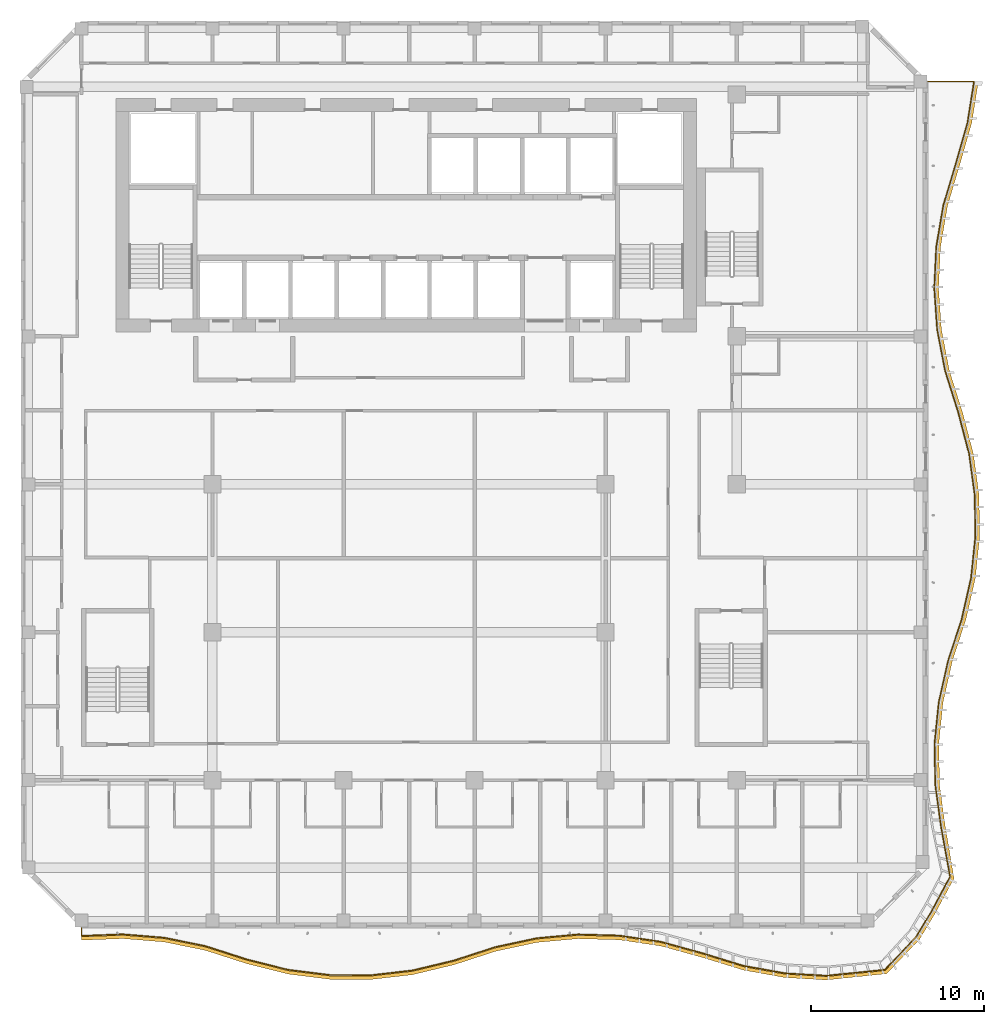
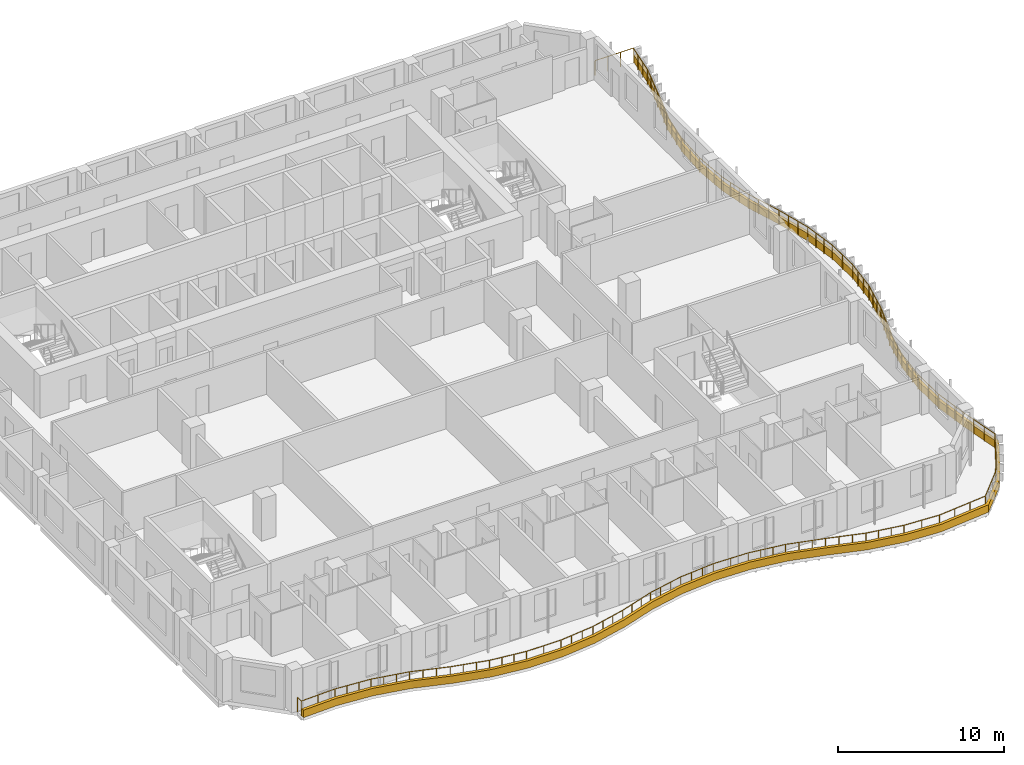
# One storey, part 17 of 22: 1 railing, 1 shading device.
"""IFC4 building model written with IfcOpenShell, lengths in metres."""

from ifc_helpers import new_model, si_unit, direction, frame, origin, origin_2d, place, context, subcontext, project, spatial, polyline, circle, outline, extrude, source, transform, mapped, material, layer, layer_set, type_object, element, save


model = new_model("IFC4")

# Units and contexts
model_context = context("Model", 3, precision=1e-05, world=origin(), true_north=direction((0.0, 1.0)))
body_context = subcontext(model_context, "Body", "Model", "MODEL_VIEW")
ifc_project = project(units=[si_unit("LENGTHUNIT", "METRE"), si_unit("AREAUNIT", "SQUARE_METRE"), si_unit("VOLUMEUNIT", "CUBIC_METRE"), si_unit("PLANEANGLEUNIT", "RADIAN"), si_unit("MASSUNIT", "GRAM", prefix="KILO")], contexts=[model_context])

# Site, building, storey
site_placement = place(None, origin())
site = spatial("IfcSite", under=ifc_project, at=site_placement, CompositionType="ELEMENT")
building_placement = place(site_placement, origin())
building = spatial("IfcBuilding", under=site, at=building_placement, Name="Kilnfold Tower and Market Hall", CompositionType="ELEMENT")
storey_placement = place(building_placement, frame((0.0, 0.0, 206.699951171875)))
storey = spatial("IfcBuildingStorey", under=building, at=storey_placement, Name="L50", CompositionType="ELEMENT", Elevation=206.699951171875)

# Railing
ifc_material_1 = material(Name="Stainless steel and laminated glass", Category="steel")
railing_type = type_object("IfcRailingType", Name="GUARD 1100", PredefinedType="GUARDRAIL", material=ifc_material_1)
railing_placement = place(storey_placement, frame((-17.75, -26.25, 0.0)))
element("IfcRailing", 1, at=railing_placement, inside=storey, type_object=railing_type, Name="Guard balcony L50", PredefinedType="GUARDRAIL", context=body_context, shape_type="SweptSolid", body=[
    extrude(circle(Radius=0.02490234375, at=origin_2d()), frame((0.0, 0.0, 1.0751953125), z_axis=(0.0, -1.0, 0.0), x_axis=(1.0, 0.0, 0.0)), (0.0, 0.0, 1.0), 0.4453125),
    extrude(circle(Radius=0.02490234375, at=origin_2d()), frame((0.0, -0.4453125, 1.0751953125), z_axis=(0.999285499224, 0.037795383853, 0.0), x_axis=(-0.037795383853, 0.999285499224, 0.0)), (0.0, 0.0, 1.0), 2.396484375),
    extrude(circle(Radius=0.02490234375, at=origin_2d()), frame((2.394775390625, -0.354736328125, 1.0751953125), z_axis=(0.996698894038, -0.081186911646, 0.0), x_axis=(0.081186911646, 0.996698894038, 0.0)), (0.0, 0.0, 1.0), 2.402587890625),
    extrude(circle(Radius=0.02490234375, at=origin_2d()), frame((4.78955078125, -0.5498046875, 1.0751953125), z_axis=(0.979777288655, -0.200091140821, 0.0), x_axis=(0.200091140821, 0.979777288655, 0.0)), (0.0, 0.0, 1.0), 2.44384765625),
    extrude(circle(Radius=0.02490234375, at=origin_2d()), frame((7.18408203125, -1.038818359375, 1.0751953125), z_axis=(0.951884070417, -0.306458343804, 0.0), x_axis=(0.306458343804, 0.951884070417, 0.0)), (0.0, 0.0, 1.0), 2.515869140625),
    extrude(circle(Radius=0.02490234375, at=origin_2d()), frame((9.578857421875, -1.809814453125, 1.0751953125), z_axis=(0.970078474346, -0.24279158472, 0.0), x_axis=(0.24279158472, 0.970078474346, 0.0)), (0.0, 0.0, 1.0), 2.46875),
    extrude(circle(Radius=0.02490234375, at=origin_2d()), frame((11.9736328125, -2.4091796875, 1.0751953125), z_axis=(0.992291877345, -0.123922678127, 0.0), x_axis=(0.123922678127, 0.992291877345, 0.0)), (0.0, 0.0, 1.0), 2.413330078125),
    extrude(circle(Radius=0.02490234375, at=origin_2d()), frame((14.368408203125, -2.708251953125, 1.0751953125), z_axis=(0.999987523161, -0.004995350049, 0.0), x_axis=(0.004995350049, 0.999987523161, 0.0)), (0.0, 0.0, 1.0), 2.394775390625),
    extrude(circle(Radius=0.02490234375, at=origin_2d()), frame((16.76318359375, -2.72021484375, 1.0751953125), z_axis=(0.993475745503, 0.114043601737, 0.0), x_axis=(-0.114043601737, 0.993475745503, 0.0)), (0.0, 0.0, 1.0), 2.410400390625),
    extrude(circle(Radius=0.02490234375, at=origin_2d()), frame((19.157958984375, -2.4453125, 1.0751953125), z_axis=(0.972475433643, 0.233005431185, 0.0), x_axis=(-0.233005431185, 0.972475433643, 0.0)), (0.0, 0.0, 1.0), 2.46240234375),
    extrude(circle(Radius=0.02490234375, at=origin_2d()), frame((21.552490234375, -1.87158203125, 1.0751953125), z_axis=(0.951041192838, 0.309064151149, 0.0), x_axis=(-0.309064151149, 0.951041192838, 0.0)), (0.0, 0.0, 1.0), 2.518310546875),
    extrude(circle(Radius=0.02490234375, at=origin_2d()), frame((23.947509765625, -1.09326171875, 1.0751953125), z_axis=(0.977694334529, 0.210032826555, 0.0), x_axis=(-0.210032826555, 0.977694334529, 0.0)), (0.0, 0.0, 1.0), 2.44921875),
    extrude(circle(Radius=0.02490234375, at=origin_2d()), frame((26.342041015625, -0.578857421875, 1.0751953125), z_axis=(0.995854001632, 0.090965968545, 0.0), x_axis=(-0.090965968545, 0.995854001632, 0.0)), (0.0, 0.0, 1.0), 2.40478515625),
    extrude(circle(Radius=0.02490234375, at=origin_2d()), frame((28.73681640625, -0.360107421875, 1.0751953125), z_axis=(0.999610087106, -0.027922638788, 0.0), x_axis=(0.027922638788, 0.999610087106, 0.0)), (0.0, 0.0, 1.0), 2.395751953125),
    extrude(circle(Radius=0.02490234375, at=origin_2d()), frame((31.131591796875, -0.427001953125, 1.0751953125), z_axis=(0.989162274279, -0.146826411597, 0.0), x_axis=(0.146826411597, 0.989162274279, 0.0)), (0.0, 0.0, 1.0), 2.4208984375),
    extrude(circle(Radius=0.02490234375, at=origin_2d()), frame((33.5263671875, -0.782470703125, 1.0751953125), z_axis=(0.964041254031, -0.265752630329, 0.0), x_axis=(0.265752630329, 0.964041254031, 0.0)), (0.0, 0.0, 1.0), 2.484130859375),
    extrude(circle(Radius=0.02490234375, at=origin_2d()), frame((35.921142578125, -1.442626953125, 1.0751953125), z_axis=(0.95578322222, -0.294072154619, 0.0), x_axis=(0.294072154619, 0.95578322222, 0.0)), (0.0, 0.0, 1.0), 2.505615234375),
    extrude(circle(Radius=0.02490234375, at=origin_2d()), frame((38.31591796875, -2.179443359375, 1.0751953125), z_axis=(0.984191021013, -0.177110231657, 0.0), x_axis=(0.177110231657, 0.984191021013, 0.0)), (0.0, 0.0, 1.0), 2.43310546875),
    extrude(circle(Radius=0.02490234375, at=origin_2d()), frame((40.71044921875, -2.6103515625, 1.0751953125), z_axis=(0.998304074766, -0.058214897621, 0.0), x_axis=(0.058214897621, 0.998304074766, 0.0)), (0.0, 0.0, 1.0), 2.39892578125),
    extrude(circle(Radius=0.02490234375, at=origin_2d()), frame((43.105224609375, -2.75, 1.0751953125), z_axis=(0.994895073816, 0.100914776402, 0.0), x_axis=(-0.100914776402, 0.994895073816, 0.0)), (0.0, 0.0, 1.0), 3.40869140625),
    extrude(circle(Radius=0.02490234375, at=origin_2d()), frame((46.49658203125, -2.406005859375, 1.0751953125), z_axis=(0.687903209609, 0.725802434696, 0.0), x_axis=(-0.725802434696, 0.687903209609, 0.0)), (0.0, 0.0, 1.0), 2.647705078125),
    extrude(circle(Radius=0.02490234375, at=origin_2d()), frame((48.31787109375, -0.484375, 1.0751953125), z_axis=(0.514179076421, 0.857682853606, 0.0), x_axis=(-0.857682853606, 0.514179076421, 0.0)), (0.0, 0.0, 1.0), 1.70068359375),
    extrude(circle(Radius=0.02490234375, at=origin_2d()), frame((49.1923828125, 0.974365234375, 1.0751953125), z_axis=(0.473080286495, 0.88101932018, 0.0), x_axis=(-0.88101932018, 0.473080286495, 0.0)), (0.0, 0.0, 1.0), 2.271240234375),
    extrude(circle(Radius=0.02490234375, at=origin_2d()), frame((50.266845703125, 2.975341796875, 1.0751953125), z_axis=(-0.177914965773, 0.98404586527, 0.0), x_axis=(-0.98404586527, -0.177914965773, 0.0)), (0.0, 0.0, 1.0), 2.966796875),
    extrude(circle(Radius=0.02490234375, at=origin_2d()), frame((49.739013671875, 5.894775390625, 1.0751953125), z_axis=(-0.136343479857, 0.990661625128, 0.0), x_axis=(-0.990661625128, -0.136343479857, 0.0)), (0.0, 0.0, 1.0), 2.417236328125),
    extrude(circle(Radius=0.02490234375, at=origin_2d()), frame((49.409423828125, 8.28955078125, 1.0751953125), z_axis=(-0.017330186539, 0.99984982104, 0.0), x_axis=(-0.99984982104, -0.017330186539, 0.0)), (0.0, 0.0, 1.0), 2.394775390625),
    extrude(circle(Radius=0.02490234375, at=origin_2d()), frame((49.367919921875, 10.68408203125, 1.0751953125), z_axis=(0.101521881914, 0.994833306385, 0.0), x_axis=(-0.994833306385, 0.101521881914, 0.0)), (0.0, 0.0, 1.0), 2.4072265625),
    extrude(circle(Radius=0.02490234375, at=origin_2d()), frame((49.6123046875, 13.078857421875, 1.0751953125), z_axis=(0.220456200603, 0.975396874926, 0.0), x_axis=(-0.975396874926, 0.220456200603, 0.0)), (0.0, 0.0, 1.0), 2.455078125),
    extrude(circle(Radius=0.02490234375, at=origin_2d()), frame((50.153564453125, 15.4736328125, 1.0751953125), z_axis=(0.310231980147, 0.950660885118, 0.0), x_axis=(-0.950660885118, 0.310231980147, 0.0)), (0.0, 0.0, 1.0), 2.51904296875),
    extrude(circle(Radius=0.02490234375, at=origin_2d()), frame((50.93505859375, 17.868408203125, 1.0751953125), z_axis=(0.222441554451, 0.974946026636, 0.0), x_axis=(-0.974946026636, 0.222441554451, 0.0)), (0.0, 0.0, 1.0), 2.456298828125),
    extrude(circle(Radius=0.02490234375, at=origin_2d()), frame((51.4814453125, 20.26318359375, 1.0751953125), z_axis=(0.103428446803, 0.994636896758, 0.0), x_axis=(-0.994636896758, 0.103428446803, 0.0)), (0.0, 0.0, 1.0), 2.40771484375),
    extrude(circle(Radius=0.02490234375, at=origin_2d()), frame((51.73046875, 22.657958984375, 1.0751953125), z_axis=(-0.015393771191, 0.999881508884, 0.0), x_axis=(-0.999881508884, -0.015393771191, 0.0)), (0.0, 0.0, 1.0), 2.394775390625),
    extrude(circle(Radius=0.02490234375, at=origin_2d()), frame((51.693603515625, 25.052490234375, 1.0751953125), z_axis=(-0.134446048726, 0.9909209151, 0.0), x_axis=(-0.9909209151, -0.134446048726, 0.0)), (0.0, 0.0, 1.0), 2.4169921875),
    extrude(circle(Radius=0.02490234375, at=origin_2d()), frame((51.36865234375, 27.447509765625, 1.0751953125), z_axis=(-0.253381367765, 0.967366467513, 0.0), x_axis=(-0.967366467513, -0.253381367765, 0.0)), (0.0, 0.0, 1.0), 2.475341796875),
    extrude(circle(Radius=0.02490234375, at=origin_2d()), frame((50.741455078125, 29.842041015625, 1.0751953125), z_axis=(-0.301875510226, 0.953347353448, 0.0), x_axis=(-0.953347353448, -0.301875510226, 0.0)), (0.0, 0.0, 1.0), 2.511962890625),
    extrude(circle(Radius=0.02490234375, at=origin_2d()), frame((49.983154296875, 32.23681640625, 1.0751953125), z_axis=(-0.189586154087, 0.981864089464, 0.0), x_axis=(-0.981864089464, -0.189586154087, 0.0)), (0.0, 0.0, 1.0), 2.43896484375),
    extrude(circle(Radius=0.02490234375, at=origin_2d()), frame((49.520751953125, 34.631591796875, 1.0751953125), z_axis=(-0.070574930945, 0.997506480742, 0.0), x_axis=(-0.997506480742, -0.070574930945, 0.0)), (0.0, 0.0, 1.0), 2.40087890625),
    extrude(circle(Radius=0.02490234375, at=origin_2d()), frame((49.351318359375, 37.0263671875, 1.0751953125), z_axis=(0.048266647613, 0.998834486153, 0.0), x_axis=(-0.998834486153, 0.048266647613, 0.0)), (0.0, 0.0, 1.0), 2.3974609375),
    extrude(circle(Radius=0.02490234375, at=origin_2d()), frame((49.467041015625, 39.421142578125, 1.0751953125), z_axis=(0.167250644967, 0.985914408941, 0.0), x_axis=(-0.985914408941, 0.167250644967, 0.0)), (0.0, 0.0, 1.0), 2.428955078125),
    extrude(circle(Radius=0.02490234375, at=origin_2d()), frame((49.873291015625, 41.81591796875, 1.0751953125), z_axis=(0.285967241733, 0.958239394231, 0.0), x_axis=(-0.958239394231, 0.285967241733, 0.0)), (0.0, 0.0, 1.0), 2.498779296875),
    extrude(circle(Radius=0.02490234375, at=origin_2d()), frame((50.587890625, 44.21044921875, 1.0751953125), z_axis=(0.275665835202, 0.961253529149, 0.0), x_axis=(-0.961253529149, 0.275665835202, 0.0)), (0.0, 0.0, 1.0), 2.4912109375),
    extrude(circle(Radius=0.02490234375, at=origin_2d()), frame((51.274658203125, 46.605224609375, 1.0751953125), z_axis=(0.156769103124, 0.987635281015, 0.0), x_axis=(-0.987635281015, 0.156769103124, 0.0)), (0.0, 0.0, 1.0), 2.4248046875),
    extrude(circle(Radius=0.02490234375, at=origin_2d()), frame((51.65478515625, 49.0, 1.0751953125), z_axis=(-1.0, 0.0, 0.0), x_axis=(0.0, -1.0, 0.0)), (0.0, 0.0, 1.0), 2.65478515625),
    extrude(circle(Radius=0.02490234375, at=origin_2d()), origin(), (0.0, 0.0, 1.0), 1.050048828125),
    extrude(circle(Radius=0.02490234375, at=origin_2d()), frame((0.0, -0.4453125, 0.0)), (0.0, 0.0, 1.0), 1.050048828125),
    extrude(circle(Radius=0.02490234375, at=origin_2d()), frame((1.197265625, -0.39990234375, 0.0)), (0.0, 0.0, 1.0), 1.050048828125),
    extrude(circle(Radius=0.02490234375, at=origin_2d()), frame((2.394775390625, -0.354736328125, 0.0)), (0.0, 0.0, 1.0), 1.050048828125),
    extrude(circle(Radius=0.02490234375, at=origin_2d()), frame((3.193115234375, -0.419677734375, 0.0)), (0.0, 0.0, 1.0), 1.050048828125),
    extrude(circle(Radius=0.02490234375, at=origin_2d()), frame((3.9912109375, -0.48486328125, 0.0)), (0.0, 0.0, 1.0), 1.050048828125),
    extrude(circle(Radius=0.02490234375, at=origin_2d()), frame((4.78955078125, -0.5498046875, 0.0)), (0.0, 0.0, 1.0), 1.050048828125),
    extrude(circle(Radius=0.02490234375, at=origin_2d()), frame((5.587646484375, -0.712890625, 0.0)), (0.0, 0.0, 1.0), 1.050048828125),
    extrude(circle(Radius=0.02490234375, at=origin_2d()), frame((6.385986328125, -0.875732421875, 0.0)), (0.0, 0.0, 1.0), 1.050048828125),
    extrude(circle(Radius=0.02490234375, at=origin_2d()), frame((7.18408203125, -1.038818359375, 0.0)), (0.0, 0.0, 1.0), 1.050048828125),
    extrude(circle(Radius=0.02490234375, at=origin_2d()), frame((7.982421875, -1.2958984375, 0.0)), (0.0, 0.0, 1.0), 1.050048828125),
    extrude(circle(Radius=0.02490234375, at=origin_2d()), frame((8.780517578125, -1.552734375, 0.0)), (0.0, 0.0, 1.0), 1.050048828125),
    extrude(circle(Radius=0.02490234375, at=origin_2d()), frame((9.578857421875, -1.809814453125, 0.0)), (0.0, 0.0, 1.0), 1.050048828125),
    extrude(circle(Radius=0.02490234375, at=origin_2d()), frame((10.377197265625, -2.009521484375, 0.0)), (0.0, 0.0, 1.0), 1.050048828125),
    extrude(circle(Radius=0.02490234375, at=origin_2d()), frame((11.17529296875, -2.20947265625, 0.0)), (0.0, 0.0, 1.0), 1.050048828125),
    extrude(circle(Radius=0.02490234375, at=origin_2d()), frame((11.9736328125, -2.4091796875, 0.0)), (0.0, 0.0, 1.0), 1.050048828125),
    extrude(circle(Radius=0.02490234375, at=origin_2d()), frame((12.77197265625, -2.5087890625, 0.0)), (0.0, 0.0, 1.0), 1.050048828125),
    extrude(circle(Radius=0.02490234375, at=origin_2d()), frame((13.570068359375, -2.608642578125, 0.0)), (0.0, 0.0, 1.0), 1.050048828125),
    extrude(circle(Radius=0.02490234375, at=origin_2d()), frame((14.368408203125, -2.708251953125, 0.0)), (0.0, 0.0, 1.0), 1.050048828125),
    extrude(circle(Radius=0.02490234375, at=origin_2d()), frame((15.56591796875, -2.71435546875, 0.0)), (0.0, 0.0, 1.0), 1.050048828125),
    extrude(circle(Radius=0.02490234375, at=origin_2d()), frame((16.76318359375, -2.72021484375, 0.0)), (0.0, 0.0, 1.0), 1.050048828125),
    extrude(circle(Radius=0.02490234375, at=origin_2d()), frame((17.5615234375, -2.628662109375, 0.0)), (0.0, 0.0, 1.0), 1.050048828125),
    extrude(circle(Radius=0.02490234375, at=origin_2d()), frame((18.359619140625, -2.536865234375, 0.0)), (0.0, 0.0, 1.0), 1.050048828125),
    extrude(circle(Radius=0.02490234375, at=origin_2d()), frame((19.157958984375, -2.4453125, 0.0)), (0.0, 0.0, 1.0), 1.050048828125),
    extrude(circle(Radius=0.02490234375, at=origin_2d()), frame((19.9560546875, -2.254150390625, 0.0)), (0.0, 0.0, 1.0), 1.050048828125),
    extrude(circle(Radius=0.02490234375, at=origin_2d()), frame((20.75439453125, -2.062744140625, 0.0)), (0.0, 0.0, 1.0), 1.050048828125),
    extrude(circle(Radius=0.02490234375, at=origin_2d()), frame((21.552490234375, -1.87158203125, 0.0)), (0.0, 0.0, 1.0), 1.050048828125),
    extrude(circle(Radius=0.02490234375, at=origin_2d()), frame((22.350830078125, -1.612060546875, 0.0)), (0.0, 0.0, 1.0), 1.050048828125),
    extrude(circle(Radius=0.02490234375, at=origin_2d()), frame((23.149169921875, -1.352783203125, 0.0)), (0.0, 0.0, 1.0), 1.050048828125),
    extrude(circle(Radius=0.02490234375, at=origin_2d()), frame((23.947509765625, -1.09326171875, 0.0)), (0.0, 0.0, 1.0), 1.050048828125),
    extrude(circle(Radius=0.02490234375, at=origin_2d()), frame((24.74560546875, -0.921875, 0.0)), (0.0, 0.0, 1.0), 1.050048828125),
    extrude(circle(Radius=0.02490234375, at=origin_2d()), frame((25.5439453125, -0.750244140625, 0.0)), (0.0, 0.0, 1.0), 1.050048828125),
    extrude(circle(Radius=0.02490234375, at=origin_2d()), frame((26.342041015625, -0.578857421875, 0.0)), (0.0, 0.0, 1.0), 1.050048828125),
    extrude(circle(Radius=0.02490234375, at=origin_2d()), frame((27.140380859375, -0.505859375, 0.0)), (0.0, 0.0, 1.0), 1.050048828125),
    extrude(circle(Radius=0.02490234375, at=origin_2d()), frame((27.9384765625, -0.43310546875, 0.0)), (0.0, 0.0, 1.0), 1.050048828125),
    extrude(circle(Radius=0.02490234375, at=origin_2d()), frame((28.73681640625, -0.360107421875, 0.0)), (0.0, 0.0, 1.0), 1.050048828125),
    extrude(circle(Radius=0.02490234375, at=origin_2d()), frame((29.93408203125, -0.3935546875, 0.0)), (0.0, 0.0, 1.0), 1.050048828125),
    extrude(circle(Radius=0.02490234375, at=origin_2d()), frame((31.131591796875, -0.427001953125, 0.0)), (0.0, 0.0, 1.0), 1.050048828125),
    extrude(circle(Radius=0.02490234375, at=origin_2d()), frame((31.929931640625, -0.54541015625, 0.0)), (0.0, 0.0, 1.0), 1.050048828125),
    extrude(circle(Radius=0.02490234375, at=origin_2d()), frame((32.72802734375, -0.6640625, 0.0)), (0.0, 0.0, 1.0), 1.050048828125),
    extrude(circle(Radius=0.02490234375, at=origin_2d()), frame((33.5263671875, -0.782470703125, 0.0)), (0.0, 0.0, 1.0), 1.050048828125),
    extrude(circle(Radius=0.02490234375, at=origin_2d()), frame((34.32470703125, -1.00244140625, 0.0)), (0.0, 0.0, 1.0), 1.050048828125),
    extrude(circle(Radius=0.02490234375, at=origin_2d()), frame((35.122802734375, -1.22265625, 0.0)), (0.0, 0.0, 1.0), 1.050048828125),
    extrude(circle(Radius=0.02490234375, at=origin_2d()), frame((35.921142578125, -1.442626953125, 0.0)), (0.0, 0.0, 1.0), 1.050048828125),
    extrude(circle(Radius=0.02490234375, at=origin_2d()), frame((36.719482421875, -1.688232421875, 0.0)), (0.0, 0.0, 1.0), 1.050048828125),
    extrude(circle(Radius=0.02490234375, at=origin_2d()), frame((37.517578125, -1.933837890625, 0.0)), (0.0, 0.0, 1.0), 1.050048828125),
    extrude(circle(Radius=0.02490234375, at=origin_2d()), frame((38.31591796875, -2.179443359375, 0.0)), (0.0, 0.0, 1.0), 1.050048828125),
    extrude(circle(Radius=0.02490234375, at=origin_2d()), frame((39.114013671875, -2.322998046875, 0.0)), (0.0, 0.0, 1.0), 1.050048828125),
    extrude(circle(Radius=0.02490234375, at=origin_2d()), frame((39.912353515625, -2.466796875, 0.0)), (0.0, 0.0, 1.0), 1.050048828125),
    extrude(circle(Radius=0.02490234375, at=origin_2d()), frame((40.71044921875, -2.6103515625, 0.0)), (0.0, 0.0, 1.0), 1.050048828125),
    extrude(circle(Radius=0.02490234375, at=origin_2d()), frame((41.90771484375, -2.68017578125, 0.0)), (0.0, 0.0, 1.0), 1.050048828125),
    extrude(circle(Radius=0.02490234375, at=origin_2d()), frame((43.105224609375, -2.75, 0.0)), (0.0, 0.0, 1.0), 1.050048828125),
    extrude(circle(Radius=0.02490234375, at=origin_2d()), frame((44.235595703125, -2.63525390625, 0.0)), (0.0, 0.0, 1.0), 1.050048828125),
    extrude(circle(Radius=0.02490234375, at=origin_2d()), frame((45.3662109375, -2.520751953125, 0.0)), (0.0, 0.0, 1.0), 1.050048828125),
    extrude(circle(Radius=0.02490234375, at=origin_2d()), frame((46.49658203125, -2.406005859375, 0.0)), (0.0, 0.0, 1.0), 1.050048828125),
    extrude(circle(Radius=0.02490234375, at=origin_2d()), frame((47.103759765625, -1.765380859375, 0.0)), (0.0, 0.0, 1.0), 1.050048828125),
    extrude(circle(Radius=0.02490234375, at=origin_2d()), frame((47.710693359375, -1.125, 0.0)), (0.0, 0.0, 1.0), 1.050048828125),
    extrude(circle(Radius=0.02490234375, at=origin_2d()), frame((48.31787109375, -0.484375, 0.0)), (0.0, 0.0, 1.0), 1.050048828125),
    extrude(circle(Radius=0.02490234375, at=origin_2d()), frame((48.755126953125, 0.2451171875, 0.0)), (0.0, 0.0, 1.0), 1.050048828125),
    extrude(circle(Radius=0.02490234375, at=origin_2d()), frame((49.1923828125, 0.974365234375, 0.0)), (0.0, 0.0, 1.0), 1.050048828125),
    extrude(circle(Radius=0.02490234375, at=origin_2d()), frame((49.7294921875, 1.974853515625, 0.0)), (0.0, 0.0, 1.0), 1.050048828125),
    extrude(circle(Radius=0.02490234375, at=origin_2d()), frame((50.266845703125, 2.975341796875, 0.0)), (0.0, 0.0, 1.0), 1.050048828125),
    extrude(circle(Radius=0.02490234375, at=origin_2d()), frame((50.0908203125, 3.948486328125, 0.0)), (0.0, 0.0, 1.0), 1.050048828125),
    extrude(circle(Radius=0.02490234375, at=origin_2d()), frame((49.9150390625, 4.921630859375, 0.0)), (0.0, 0.0, 1.0), 1.050048828125),
    extrude(circle(Radius=0.02490234375, at=origin_2d()), frame((49.739013671875, 5.894775390625, 0.0)), (0.0, 0.0, 1.0), 1.050048828125),
    extrude(circle(Radius=0.02490234375, at=origin_2d()), frame((49.629150390625, 6.693115234375, 0.0)), (0.0, 0.0, 1.0), 1.050048828125),
    extrude(circle(Radius=0.02490234375, at=origin_2d()), frame((49.519287109375, 7.4912109375, 0.0)), (0.0, 0.0, 1.0), 1.050048828125),
    extrude(circle(Radius=0.02490234375, at=origin_2d()), frame((49.409423828125, 8.28955078125, 0.0)), (0.0, 0.0, 1.0), 1.050048828125),
    extrude(circle(Radius=0.02490234375, at=origin_2d()), frame((49.388671875, 9.48681640625, 0.0)), (0.0, 0.0, 1.0), 1.050048828125),
    extrude(circle(Radius=0.02490234375, at=origin_2d()), frame((49.367919921875, 10.68408203125, 0.0)), (0.0, 0.0, 1.0), 1.050048828125),
    extrude(circle(Radius=0.02490234375, at=origin_2d()), frame((49.449462890625, 11.482421875, 0.0)), (0.0, 0.0, 1.0), 1.050048828125),
    extrude(circle(Radius=0.02490234375, at=origin_2d()), frame((49.53076171875, 12.280517578125, 0.0)), (0.0, 0.0, 1.0), 1.050048828125),
    extrude(circle(Radius=0.02490234375, at=origin_2d()), frame((49.6123046875, 13.078857421875, 0.0)), (0.0, 0.0, 1.0), 1.050048828125),
    extrude(circle(Radius=0.02490234375, at=origin_2d()), frame((49.792724609375, 13.877197265625, 0.0)), (0.0, 0.0, 1.0), 1.050048828125),
    extrude(circle(Radius=0.02490234375, at=origin_2d()), frame((49.97314453125, 14.67529296875, 0.0)), (0.0, 0.0, 1.0), 1.050048828125),
    extrude(circle(Radius=0.02490234375, at=origin_2d()), frame((50.153564453125, 15.4736328125, 0.0)), (0.0, 0.0, 1.0), 1.050048828125),
    extrude(circle(Radius=0.02490234375, at=origin_2d()), frame((50.4140625, 16.27197265625, 0.0)), (0.0, 0.0, 1.0), 1.050048828125),
    extrude(circle(Radius=0.02490234375, at=origin_2d()), frame((50.674560546875, 17.070068359375, 0.0)), (0.0, 0.0, 1.0), 1.050048828125),
    extrude(circle(Radius=0.02490234375, at=origin_2d()), frame((50.93505859375, 17.868408203125, 0.0)), (0.0, 0.0, 1.0), 1.050048828125),
    extrude(circle(Radius=0.02490234375, at=origin_2d()), frame((51.1171875, 18.666748046875, 0.0)), (0.0, 0.0, 1.0), 1.050048828125),
    extrude(circle(Radius=0.02490234375, at=origin_2d()), frame((51.29931640625, 19.46484375, 0.0)), (0.0, 0.0, 1.0), 1.050048828125),
    extrude(circle(Radius=0.02490234375, at=origin_2d()), frame((51.4814453125, 20.26318359375, 0.0)), (0.0, 0.0, 1.0), 1.050048828125),
    extrude(circle(Radius=0.02490234375, at=origin_2d()), frame((51.564453125, 21.0615234375, 0.0)), (0.0, 0.0, 1.0), 1.050048828125),
    extrude(circle(Radius=0.02490234375, at=origin_2d()), frame((51.6474609375, 21.859619140625, 0.0)), (0.0, 0.0, 1.0), 1.050048828125),
    extrude(circle(Radius=0.02490234375, at=origin_2d()), frame((51.73046875, 22.657958984375, 0.0)), (0.0, 0.0, 1.0), 1.050048828125),
    extrude(circle(Radius=0.02490234375, at=origin_2d()), frame((51.7119140625, 23.855224609375, 0.0)), (0.0, 0.0, 1.0), 1.050048828125),
    extrude(circle(Radius=0.02490234375, at=origin_2d()), frame((51.693603515625, 25.052490234375, 0.0)), (0.0, 0.0, 1.0), 1.050048828125),
    extrude(circle(Radius=0.02490234375, at=origin_2d()), frame((51.585205078125, 25.850830078125, 0.0)), (0.0, 0.0, 1.0), 1.050048828125),
    extrude(circle(Radius=0.02490234375, at=origin_2d()), frame((51.47705078125, 26.649169921875, 0.0)), (0.0, 0.0, 1.0), 1.050048828125),
    extrude(circle(Radius=0.02490234375, at=origin_2d()), frame((51.36865234375, 27.447509765625, 0.0)), (0.0, 0.0, 1.0), 1.050048828125),
    extrude(circle(Radius=0.02490234375, at=origin_2d()), frame((51.15966796875, 28.24560546875, 0.0)), (0.0, 0.0, 1.0), 1.050048828125),
    extrude(circle(Radius=0.02490234375, at=origin_2d()), frame((50.950439453125, 29.0439453125, 0.0)), (0.0, 0.0, 1.0), 1.050048828125),
    extrude(circle(Radius=0.02490234375, at=origin_2d()), frame((50.741455078125, 29.842041015625, 0.0)), (0.0, 0.0, 1.0), 1.050048828125),
    extrude(circle(Radius=0.02490234375, at=origin_2d()), frame((50.48876953125, 30.640380859375, 0.0)), (0.0, 0.0, 1.0), 1.050048828125),
    extrude(circle(Radius=0.02490234375, at=origin_2d()), frame((50.23583984375, 31.4384765625, 0.0)), (0.0, 0.0, 1.0), 1.050048828125),
    extrude(circle(Radius=0.02490234375, at=origin_2d()), frame((49.983154296875, 32.23681640625, 0.0)), (0.0, 0.0, 1.0), 1.050048828125),
    extrude(circle(Radius=0.02490234375, at=origin_2d()), frame((49.8291015625, 33.03515625, 0.0)), (0.0, 0.0, 1.0), 1.050048828125),
    extrude(circle(Radius=0.02490234375, at=origin_2d()), frame((49.6748046875, 33.833251953125, 0.0)), (0.0, 0.0, 1.0), 1.050048828125),
    extrude(circle(Radius=0.02490234375, at=origin_2d()), frame((49.520751953125, 34.631591796875, 0.0)), (0.0, 0.0, 1.0), 1.050048828125),
    extrude(circle(Radius=0.02490234375, at=origin_2d()), frame((49.46435546875, 35.429931640625, 0.0)), (0.0, 0.0, 1.0), 1.050048828125),
    extrude(circle(Radius=0.02490234375, at=origin_2d()), frame((49.40771484375, 36.22802734375, 0.0)), (0.0, 0.0, 1.0), 1.050048828125),
    extrude(circle(Radius=0.02490234375, at=origin_2d()), frame((49.351318359375, 37.0263671875, 0.0)), (0.0, 0.0, 1.0), 1.050048828125),
    extrude(circle(Radius=0.02490234375, at=origin_2d()), frame((49.4091796875, 38.2236328125, 0.0)), (0.0, 0.0, 1.0), 1.050048828125),
    extrude(circle(Radius=0.02490234375, at=origin_2d()), frame((49.467041015625, 39.421142578125, 0.0)), (0.0, 0.0, 1.0), 1.050048828125),
    extrude(circle(Radius=0.02490234375, at=origin_2d()), frame((49.6025390625, 40.219482421875, 0.0)), (0.0, 0.0, 1.0), 1.050048828125),
    extrude(circle(Radius=0.02490234375, at=origin_2d()), frame((49.73779296875, 41.017578125, 0.0)), (0.0, 0.0, 1.0), 1.050048828125),
    extrude(circle(Radius=0.02490234375, at=origin_2d()), frame((49.873291015625, 41.81591796875, 0.0)), (0.0, 0.0, 1.0), 1.050048828125),
    extrude(circle(Radius=0.02490234375, at=origin_2d()), frame((50.111572265625, 42.614013671875, 0.0)), (0.0, 0.0, 1.0), 1.050048828125),
    extrude(circle(Radius=0.02490234375, at=origin_2d()), frame((50.349609375, 43.412353515625, 0.0)), (0.0, 0.0, 1.0), 1.050048828125),
    extrude(circle(Radius=0.02490234375, at=origin_2d()), frame((50.587890625, 44.21044921875, 0.0)), (0.0, 0.0, 1.0), 1.050048828125),
    extrude(circle(Radius=0.02490234375, at=origin_2d()), frame((50.81689453125, 45.0087890625, 0.0)), (0.0, 0.0, 1.0), 1.050048828125),
    extrude(circle(Radius=0.02490234375, at=origin_2d()), frame((51.045654296875, 45.806884765625, 0.0)), (0.0, 0.0, 1.0), 1.050048828125),
    extrude(circle(Radius=0.02490234375, at=origin_2d()), frame((51.274658203125, 46.605224609375, 0.0)), (0.0, 0.0, 1.0), 1.050048828125),
    extrude(circle(Radius=0.02490234375, at=origin_2d()), frame((51.4013671875, 47.403564453125, 0.0)), (0.0, 0.0, 1.0), 1.050048828125),
    extrude(circle(Radius=0.02490234375, at=origin_2d()), frame((51.528076171875, 48.20166015625, 0.0)), (0.0, 0.0, 1.0), 1.050048828125),
    extrude(circle(Radius=0.02490234375, at=origin_2d()), frame((51.65478515625, 49.0, 0.0)), (0.0, 0.0, 1.0), 1.050048828125),
    extrude(circle(Radius=0.02490234375, at=origin_2d()), frame((50.769775390625, 49.0, 0.0)), (0.0, 0.0, 1.0), 1.050048828125),
    extrude(circle(Radius=0.02490234375, at=origin_2d()), frame((49.885009765625, 49.0, 0.0)), (0.0, 0.0, 1.0), 1.050048828125),
    extrude(circle(Radius=0.02490234375, at=origin_2d()), frame((49.0, 49.0, 0.0)), (0.0, 0.0, 1.0), 1.050048828125),
])

# Shading device
ifc_material_2 = material(Name="Precast concrete C50/60", Category="concrete")
ifc_layer = layer(ifc_material_2, 0.550048828125)
ifc_layer_set = layer_set([ifc_layer], Name="Precast concrete C50/60")
shading_device_type = type_object("IfcShadingDeviceType", Name="BALCONY UPSTAND 550", PredefinedType="USERDEFINED", material=ifc_layer_set)
shared_shape = source(origin(), body_context, "Body", "SweptSolid", [
    extrude(outline(polyline([(-17.75, -26.9453125), (-15.355224609375, -26.854736328125), (-12.96044921875, -27.0498046875), (-10.56591796875, -27.538818359375), (-8.171142578125, -28.309814453125), (-5.7763671875, -28.9091796875), (-3.381591796875, -29.208251953125), (-0.98681640625, -29.22021484375), (1.407958984375, -28.9453125), (3.802490234375, -28.37158203125), (6.197509765625, -27.59326171875), (8.592041015625, -27.078857421875), (10.98681640625, -26.860107421875), (13.381591796875, -26.927001953125), (15.7763671875, -27.282470703125), (18.171142578125, -27.942626953125), (20.56591796875, -28.679443359375), (22.96044921875, -29.1103515625), (25.355224609375, -29.25), (28.84228515625, -28.886962890625), (30.74462890625, -26.9111328125), (31.619140625, -25.452392578125), (32.747802734375, -23.370361328125), (32.239013671875, -20.355224609375), (31.909423828125, -17.96044921875), (31.867919921875, -15.56591796875), (32.1123046875, -13.171142578125), (32.653564453125, -10.7763671875), (33.43505859375, -8.381591796875), (33.9814453125, -5.98681640625), (34.23046875, -3.592041015625), (34.193603515625, -1.197509765625), (33.86865234375, 1.197509765625), (33.241455078125, 3.592041015625), (32.483154296875, 5.98681640625), (32.020751953125, 8.381591796875), (31.851318359375, 10.7763671875), (31.967041015625, 13.171142578125), (32.373291015625, 15.56591796875), (33.087890625, 17.96044921875), (33.774658203125, 20.355224609375), (34.15478515625, 22.75), (33.95458984375, 22.75), (33.57470703125, 20.355224609375), (32.887939453125, 17.96044921875), (32.17333984375, 15.56591796875), (31.76708984375, 13.171142578125), (31.6513671875, 10.7763671875), (31.82080078125, 8.381591796875), (32.283203125, 5.98681640625), (33.04150390625, 3.592041015625), (33.668701171875, 1.197509765625), (33.993408203125, -1.197509765625), (34.030517578125, -3.592041015625), (33.781494140625, -5.98681640625), (33.235107421875, -8.381591796875), (32.45361328125, -10.7763671875), (31.912353515625, -13.171142578125), (31.667724609375, -15.56591796875), (31.70947265625, -17.96044921875), (32.0390625, -20.355224609375), (32.56298828125, -23.2939453125), (31.477783203125, -25.31103515625), (30.603271484375, -26.769775390625), (28.765869140625, -28.7021484375), (25.355224609375, -29.050048828125), (22.96044921875, -28.910400390625), (20.56591796875, -28.4794921875), (18.171142578125, -27.74267578125), (15.7763671875, -27.08251953125), (13.381591796875, -26.726806640625), (10.98681640625, -26.659912109375), (8.592041015625, -26.87890625), (6.197509765625, -27.393310546875), (3.802490234375, -28.171630859375), (1.407958984375, -28.745361328125), (-0.98681640625, -29.02001953125), (-3.381591796875, -29.00830078125), (-5.7763671875, -28.709228515625), (-8.171142578125, -28.10986328125), (-10.56591796875, -27.338623046875), (-12.96044921875, -26.849609375), (-15.355224609375, -26.65478515625), (-17.75, -26.745361328125), (-17.75, -26.9453125)])), origin(), (0.0, 0.0, 1.0), 0.550048828125),
])
shading_device_placement = place(storey_placement, origin())
element("IfcShadingDevice", 2, at=shading_device_placement, inside=storey, type_object=shading_device_type, Name="Balcony fascia L50", ObjectType="FASCIA", PredefinedType="USERDEFINED", context=body_context, shape_type="MappedRepresentation", body=[
    mapped(shared_shape, transform((0.0, 0.0, 0.0))),
])

save(model, "model.ifc")
